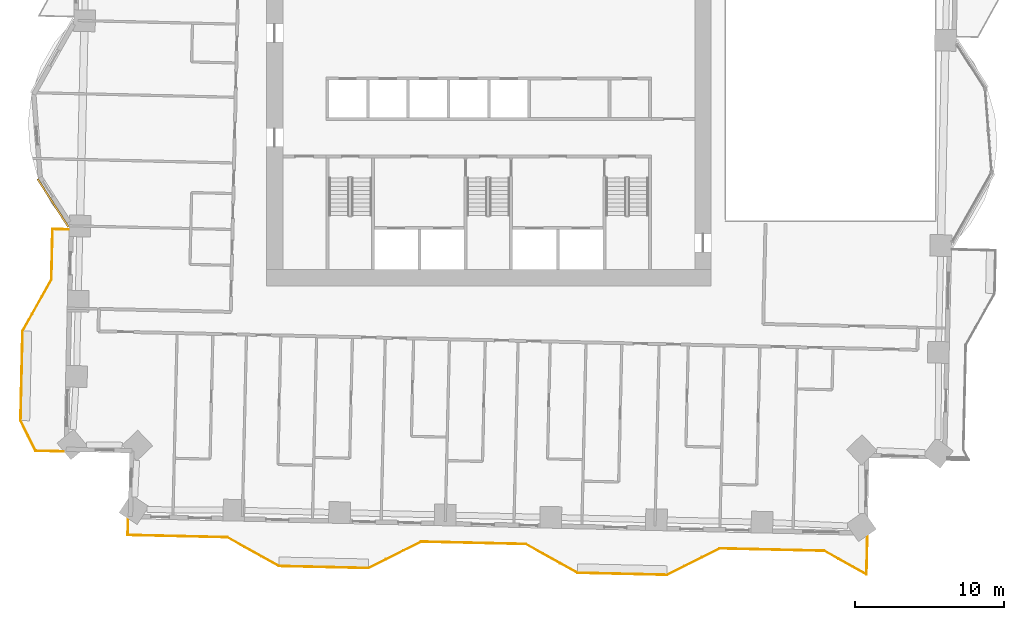
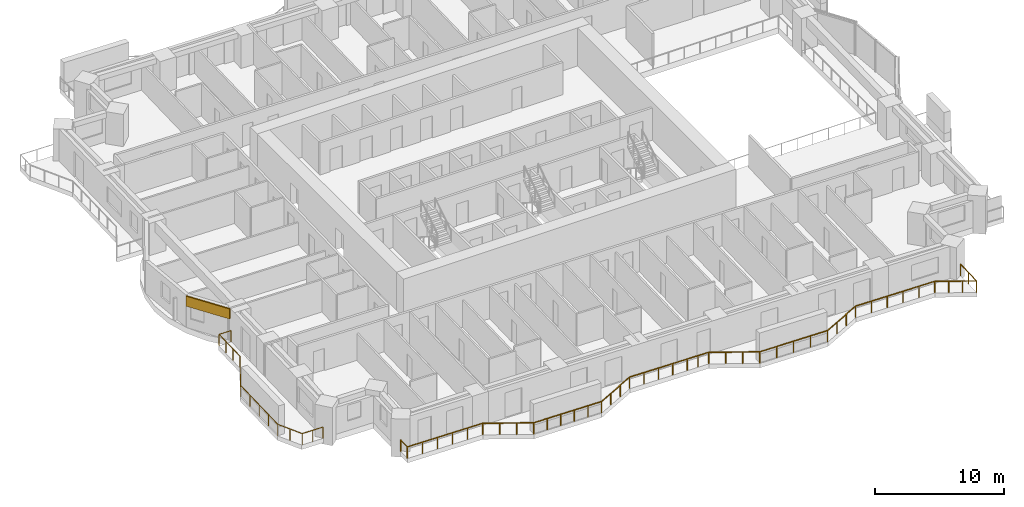
# One storey, part 14 of 18: 2 railings, 1 covering.
"""IFC4 building model written with IfcOpenShell, lengths in metres."""

from ifc_helpers import new_model, si_unit, direction, frame, frame_2d, origin, origin_2d, place, context, subcontext, project, spatial, rectangle, extrude, material, layer, layer_set, type_object, element, save


model = new_model("IFC4")

# Units and contexts
model_context = context("Model", 3, precision=1e-05, world=origin(), true_north=direction((0.0, 1.0)))
body_context = subcontext(model_context, "Body", "Model", "MODEL_VIEW")
ifc_project = project(units=[si_unit("LENGTHUNIT", "METRE"), si_unit("AREAUNIT", "SQUARE_METRE"), si_unit("VOLUMEUNIT", "CUBIC_METRE"), si_unit("PLANEANGLEUNIT", "RADIAN"), si_unit("MASSUNIT", "GRAM", prefix="KILO")], contexts=[model_context])

# Site, building, storey
site_placement = place(None, origin())
site = spatial("IfcSite", under=ifc_project, at=site_placement, CompositionType="ELEMENT")
building_placement = place(site_placement, origin())
building = spatial("IfcBuilding", under=site, at=building_placement, Name="Mangrove Gate Tower", CompositionType="ELEMENT")
storey_placement = place(building_placement, frame((0.0, 0.0, 67.5)))
storey = spatial("IfcBuildingStorey", under=building, at=storey_placement, Name="L16", CompositionType="ELEMENT", Elevation=67.5)

# Railings
ifc_material_1 = material(Name="Stainless steel grade 316 with laminated glass infill", Category="steel")
railing_type = type_object("IfcRailingType", Name="Balcony guard 1100", PredefinedType="GUARDRAIL", material=ifc_material_1)
railing_1_placement = place(storey_placement, frame((-28.162109375, -8.10205078125, 0.0)))
element("IfcRailing", 1, at=railing_1_placement, inside=storey, type_object=railing_type, Name="GUARD L16 W2", PredefinedType="GUARDRAIL", context=body_context, shape_type="SweptSolid", body=[
    extrude(rectangle(XDim=0.048095703125, YDim=0.048095703125, at=origin_2d()), frame((0.0, 0.0, 1.076171875), z_axis=(-0.999740049023, 0.022799876723, 0.0), x_axis=(-0.022799876723, -0.999740049023, 0.0)), (0.0, 0.0, 1.0), 1.06005859375),
    extrude(rectangle(XDim=0.048095703125, YDim=0.048095703125, at=origin_2d()), frame((-1.059814453125, 0.024169921875, 1.076171875), z_axis=(-0.022570225841, -0.999745260007, 0.0), x_axis=(0.999745260007, -0.022570225841, 0.0)), (0.0, 0.0, 1.0), 3.375),
    extrude(rectangle(XDim=0.048095703125, YDim=0.048095703125, at=origin_2d()), frame((-1.135986328125, -3.349853515625, 1.076171875), z_axis=(-0.48726008209, -0.87325689943, 0.0), x_axis=(0.87325689943, -0.48726008209, 0.0)), (0.0, 0.0, 1.0), 3.958740234375),
    extrude(rectangle(XDim=0.048095703125, YDim=0.048095703125, at=origin_2d()), frame((-3.06494140625, -6.806884765625, 1.076171875), z_axis=(-0.022665943652, -0.999743094499, 0.0), x_axis=(0.999743094499, -0.022665943652, 0.0)), (0.0, 0.0, 1.0), 5.99951171875),
    extrude(rectangle(XDim=0.048095703125, YDim=0.048095703125, at=origin_2d()), frame((-3.200927734375, -12.804931640625, 1.076171875), z_axis=(0.446868240177, -0.894599785335, 0.0), x_axis=(0.894599785335, 0.446868240177, 0.0)), (0.0, 0.0, 1.0), 2.262451171875),
    extrude(rectangle(XDim=0.048095703125, YDim=0.048095703125, at=origin_2d()), frame((-2.18994140625, -14.828857421875, 1.076171875), z_axis=(0.999743058761, -0.022667519919, 0.0), x_axis=(0.022667519919, 0.999743058761, 0.0)), (0.0, 0.0, 1.0), 1.8525390625),
    extrude(rectangle(XDim=0.0419921875, YDim=0.0419921875, at=origin_2d()), origin(), (0.0, 0.0, 1.0), 1.052001953125),
    extrude(rectangle(XDim=0.0419921875, YDim=0.0419921875, at=origin_2d()), frame((-1.059814453125, 0.024169921875, 0.0)), (0.0, 0.0, 1.0), 1.052001953125),
    extrude(rectangle(XDim=0.0419921875, YDim=0.0419921875, at=origin_2d()), frame((-1.085205078125, -1.1005859375, 0.0)), (0.0, 0.0, 1.0), 1.052001953125),
    extrude(rectangle(XDim=0.0419921875, YDim=0.0419921875, at=origin_2d()), frame((-1.110595703125, -2.22509765625, 0.0)), (0.0, 0.0, 1.0), 1.052001953125),
    extrude(rectangle(XDim=0.0419921875, YDim=0.0419921875, at=origin_2d()), frame((-1.135986328125, -3.349853515625, 0.0)), (0.0, 0.0, 1.0), 1.052001953125),
    extrude(rectangle(XDim=0.0419921875, YDim=0.0419921875, at=origin_2d()), frame((-1.779052734375, -4.502197265625, 0.0)), (0.0, 0.0, 1.0), 1.052001953125),
    extrude(rectangle(XDim=0.0419921875, YDim=0.0419921875, at=origin_2d()), frame((-2.421875, -5.654541015625, 0.0)), (0.0, 0.0, 1.0), 1.052001953125),
    extrude(rectangle(XDim=0.0419921875, YDim=0.0419921875, at=origin_2d()), frame((-3.06494140625, -6.806884765625, 0.0)), (0.0, 0.0, 1.0), 1.052001953125),
    extrude(rectangle(XDim=0.0419921875, YDim=0.0419921875, at=origin_2d()), frame((-3.098876953125, -8.306396484375, 0.0)), (0.0, 0.0, 1.0), 1.052001953125),
    extrude(rectangle(XDim=0.0419921875, YDim=0.0419921875, at=origin_2d()), frame((-3.1328125, -9.805908203125, 0.0)), (0.0, 0.0, 1.0), 1.052001953125),
    extrude(rectangle(XDim=0.0419921875, YDim=0.0419921875, at=origin_2d()), frame((-3.1669921875, -11.305419921875, 0.0)), (0.0, 0.0, 1.0), 1.052001953125),
    extrude(rectangle(XDim=0.0419921875, YDim=0.0419921875, at=origin_2d()), frame((-3.200927734375, -12.804931640625, 0.0)), (0.0, 0.0, 1.0), 1.052001953125),
    extrude(rectangle(XDim=0.0419921875, YDim=0.0419921875, at=origin_2d()), frame((-2.6953125, -13.81689453125, 0.0)), (0.0, 0.0, 1.0), 1.052001953125),
    extrude(rectangle(XDim=0.0419921875, YDim=0.0419921875, at=origin_2d()), frame((-2.18994140625, -14.828857421875, 0.0)), (0.0, 0.0, 1.0), 1.052001953125),
    extrude(rectangle(XDim=0.0419921875, YDim=0.0419921875, at=origin_2d()), frame((-1.263916015625, -14.849853515625, 0.0)), (0.0, 0.0, 1.0), 1.052001953125),
    extrude(rectangle(XDim=0.0419921875, YDim=0.0419921875, at=origin_2d()), frame((-0.337890625, -14.870849609375, 0.0)), (0.0, 0.0, 1.0), 1.052001953125),
])
railing_2_placement = place(storey_placement, frame((-24.160888671875, -27.511962890625, 0.0)))
element("IfcRailing", 2, at=railing_2_placement, inside=storey, type_object=railing_type, Name="GUARD L16 S1", PredefinedType="GUARDRAIL", context=body_context, shape_type="SweptSolid", body=[
    extrude(rectangle(XDim=0.048095703125, YDim=0.048095703125, at=origin_2d()), frame((0.0, 0.0, 1.076171875), z_axis=(-0.022794628443, -0.999740168701, 0.0), x_axis=(0.999740168701, -0.022794628443, 0.0)), (0.0, 0.0, 1.0), 1.060302734375),
    extrude(rectangle(XDim=0.048095703125, YDim=0.048095703125, at=origin_2d()), frame((-0.024169921875, -1.06005859375, 1.076171875), z_axis=(0.999743948351, -0.022628250809, 0.0), x_axis=(0.022628250809, 0.999743948351, 0.0)), (0.0, 0.0, 1.0), 6.667724609375),
    extrude(rectangle(XDim=0.048095703125, YDim=0.048095703125, at=origin_2d()), frame((6.641845703125, -1.2109375, 1.076171875), z_axis=(0.873230657876, -0.487307108654, 0.0), x_axis=(0.487307108654, 0.873230657876, 0.0)), (0.0, 0.0, 1.0), 3.958984375),
    extrude(rectangle(XDim=0.048095703125, YDim=0.048095703125, at=origin_2d()), frame((10.098876953125, -3.14013671875, 1.076171875), z_axis=(0.999743178102, -0.022662255828, 0.0), x_axis=(0.022662255828, 0.999743178102, 0.0)), (0.0, 0.0, 1.0), 6.00048828125),
    extrude(rectangle(XDim=0.048095703125, YDim=0.048095703125, at=origin_2d()), frame((16.097900390625, -3.276123046875, 1.076171875), z_axis=(0.894476522376, 0.447114919141, 0.0), x_axis=(-0.447114919141, 0.894476522376, 0.0)), (0.0, 0.0, 1.0), 3.958740234375),
    extrude(rectangle(XDim=0.048095703125, YDim=0.048095703125, at=origin_2d()), frame((19.638916015625, -1.506103515625, 1.076171875), z_axis=(0.999741365697, -0.022742069283, 0.0), x_axis=(0.022742069283, 0.999741365697, 0.0)), (0.0, 0.0, 1.0), 5.09912109375),
    extrude(rectangle(XDim=0.048095703125, YDim=0.048095703125, at=origin_2d()), frame((24.73681640625, -1.6220703125, 1.076171875), z_axis=(0.999744415357, -0.022607608519, 0.0), x_axis=(0.022607608519, 0.999744415357, 0.0)), (0.0, 0.0, 1.0), 1.900634765625),
    extrude(rectangle(XDim=0.048095703125, YDim=0.048095703125, at=origin_2d()), frame((26.636962890625, -1.6650390625, 1.076171875), z_axis=(0.87325689943, -0.48726008209, 0.0), x_axis=(0.48726008209, 0.87325689943, 0.0)), (0.0, 0.0, 1.0), 3.958740234375),
    extrude(rectangle(XDim=0.048095703125, YDim=0.048095703125, at=origin_2d()), frame((30.093994140625, -3.593994140625, 1.076171875), z_axis=(0.999743073592, -0.022666865795, 0.0), x_axis=(0.022666865795, 0.999743073592, 0.0)), (0.0, 0.0, 1.0), 5.999267578125),
    extrude(rectangle(XDim=0.048095703125, YDim=0.048095703125, at=origin_2d()), frame((36.091796875, -3.72998046875, 1.076171875), z_axis=(0.894476522376, 0.447114919141, 0.0), x_axis=(-0.447114919141, 0.894476522376, 0.0)), (0.0, 0.0, 1.0), 3.958740234375),
    extrude(rectangle(XDim=0.048095703125, YDim=0.048095703125, at=origin_2d()), frame((39.6328125, -1.9599609375, 1.076171875), z_axis=(0.999741475346, -0.022737248567, 0.0), x_axis=(0.022737248567, 0.999741475346, 0.0)), (0.0, 0.0, 1.0), 7.000732421875),
    extrude(rectangle(XDim=0.048095703125, YDim=0.048095703125, at=origin_2d()), frame((46.6318359375, -2.119140625, 1.076171875), z_axis=(0.87337865098, -0.487041817519, 0.0), x_axis=(0.487041817519, 0.87337865098, 0.0)), (0.0, 0.0, 1.0), 3.24365234375),
    extrude(rectangle(XDim=0.048095703125, YDim=0.048095703125, at=origin_2d()), frame((49.46484375, -3.698974609375, 1.076171875), z_axis=(0.022559915357, 0.999745492723, 0.0), x_axis=(-0.999745492723, 0.022559915357, 0.0)), (0.0, 0.0, 1.0), 2.57568359375),
    extrude(rectangle(XDim=0.0419921875, YDim=0.0419921875, at=origin_2d()), origin(), (0.0, 0.0, 1.0), 1.052001953125),
    extrude(rectangle(XDim=0.0419921875, YDim=0.0419921875, at=origin_2d()), frame((-0.024169921875, -1.06005859375, 0.0)), (0.0, 0.0, 1.0), 1.052001953125),
    extrude(rectangle(XDim=0.0419921875, YDim=0.0419921875, at=origin_2d()), frame((1.30908203125, -1.09033203125, 0.0)), (0.0, 0.0, 1.0), 1.052001953125),
    extrude(rectangle(XDim=0.0419921875, YDim=0.0419921875, at=origin_2d()), frame((2.642333984375, -1.120361328125, 0.0)), (0.0, 0.0, 1.0), 1.052001953125),
    extrude(rectangle(XDim=0.0419921875, YDim=0.0419921875, at=origin_2d()), frame((3.975341796875, -1.150634765625, 0.0)), (0.0, 0.0, 1.0), 1.052001953125),
    extrude(rectangle(XDim=0.0419921875, YDim=0.0419921875, at=origin_2d()), frame((5.30859375, -1.1806640625, 0.0)), (0.0, 0.0, 1.0), 1.052001953125),
    extrude(rectangle(XDim=0.0419921875, YDim=0.0419921875, at=origin_2d()), frame((6.641845703125, -1.2109375, 0.0)), (0.0, 0.0, 1.0), 1.052001953125),
    extrude(rectangle(XDim=0.0419921875, YDim=0.0419921875, at=origin_2d()), frame((7.794189453125, -1.85400390625, 0.0)), (0.0, 0.0, 1.0), 1.052001953125),
    extrude(rectangle(XDim=0.0419921875, YDim=0.0419921875, at=origin_2d()), frame((8.946533203125, -2.4970703125, 0.0)), (0.0, 0.0, 1.0), 1.052001953125),
    extrude(rectangle(XDim=0.0419921875, YDim=0.0419921875, at=origin_2d()), frame((10.098876953125, -3.14013671875, 0.0)), (0.0, 0.0, 1.0), 1.052001953125),
    extrude(rectangle(XDim=0.0419921875, YDim=0.0419921875, at=origin_2d()), frame((11.298583984375, -3.167236328125, 0.0)), (0.0, 0.0, 1.0), 1.052001953125),
    extrude(rectangle(XDim=0.0419921875, YDim=0.0419921875, at=origin_2d()), frame((12.49853515625, -3.194580078125, 0.0)), (0.0, 0.0, 1.0), 1.052001953125),
    extrude(rectangle(XDim=0.0419921875, YDim=0.0419921875, at=origin_2d()), frame((13.6982421875, -3.2216796875, 0.0)), (0.0, 0.0, 1.0), 1.052001953125),
    extrude(rectangle(XDim=0.0419921875, YDim=0.0419921875, at=origin_2d()), frame((14.898193359375, -3.2490234375, 0.0)), (0.0, 0.0, 1.0), 1.052001953125),
    extrude(rectangle(XDim=0.0419921875, YDim=0.0419921875, at=origin_2d()), frame((16.097900390625, -3.276123046875, 0.0)), (0.0, 0.0, 1.0), 1.052001953125),
    extrude(rectangle(XDim=0.0419921875, YDim=0.0419921875, at=origin_2d()), frame((17.2783203125, -2.68603515625, 0.0)), (0.0, 0.0, 1.0), 1.052001953125),
    extrude(rectangle(XDim=0.0419921875, YDim=0.0419921875, at=origin_2d()), frame((18.45849609375, -2.09619140625, 0.0)), (0.0, 0.0, 1.0), 1.052001953125),
    extrude(rectangle(XDim=0.0419921875, YDim=0.0419921875, at=origin_2d()), frame((19.638916015625, -1.506103515625, 0.0)), (0.0, 0.0, 1.0), 1.052001953125),
    extrude(rectangle(XDim=0.0419921875, YDim=0.0419921875, at=origin_2d()), frame((20.913330078125, -1.53515625, 0.0)), (0.0, 0.0, 1.0), 1.052001953125),
    extrude(rectangle(XDim=0.0419921875, YDim=0.0419921875, at=origin_2d()), frame((22.18798828125, -1.56396484375, 0.0)), (0.0, 0.0, 1.0), 1.052001953125),
    extrude(rectangle(XDim=0.0419921875, YDim=0.0419921875, at=origin_2d()), frame((23.46240234375, -1.593017578125, 0.0)), (0.0, 0.0, 1.0), 1.052001953125),
    extrude(rectangle(XDim=0.0419921875, YDim=0.0419921875, at=origin_2d()), frame((24.73681640625, -1.6220703125, 0.0)), (0.0, 0.0, 1.0), 1.052001953125),
    extrude(rectangle(XDim=0.0419921875, YDim=0.0419921875, at=origin_2d()), frame((25.68701171875, -1.6435546875, 0.0)), (0.0, 0.0, 1.0), 1.052001953125),
    extrude(rectangle(XDim=0.0419921875, YDim=0.0419921875, at=origin_2d()), frame((26.636962890625, -1.6650390625, 0.0)), (0.0, 0.0, 1.0), 1.052001953125),
    extrude(rectangle(XDim=0.0419921875, YDim=0.0419921875, at=origin_2d()), frame((27.789306640625, -2.30810546875, 0.0)), (0.0, 0.0, 1.0), 1.052001953125),
    extrude(rectangle(XDim=0.0419921875, YDim=0.0419921875, at=origin_2d()), frame((28.941650390625, -2.950927734375, 0.0)), (0.0, 0.0, 1.0), 1.052001953125),
    extrude(rectangle(XDim=0.0419921875, YDim=0.0419921875, at=origin_2d()), frame((30.093994140625, -3.593994140625, 0.0)), (0.0, 0.0, 1.0), 1.052001953125),
    extrude(rectangle(XDim=0.0419921875, YDim=0.0419921875, at=origin_2d()), frame((31.593505859375, -3.6279296875, 0.0)), (0.0, 0.0, 1.0), 1.052001953125),
    extrude(rectangle(XDim=0.0419921875, YDim=0.0419921875, at=origin_2d()), frame((33.0927734375, -3.662109375, 0.0)), (0.0, 0.0, 1.0), 1.052001953125),
    extrude(rectangle(XDim=0.0419921875, YDim=0.0419921875, at=origin_2d()), frame((34.59228515625, -3.696044921875, 0.0)), (0.0, 0.0, 1.0), 1.052001953125),
    extrude(rectangle(XDim=0.0419921875, YDim=0.0419921875, at=origin_2d()), frame((36.091796875, -3.72998046875, 0.0)), (0.0, 0.0, 1.0), 1.052001953125),
    extrude(rectangle(XDim=0.0419921875, YDim=0.0419921875, at=origin_2d()), frame((37.272216796875, -3.139892578125, 0.0)), (0.0, 0.0, 1.0), 1.052001953125),
    extrude(rectangle(XDim=0.0419921875, YDim=0.0419921875, at=origin_2d()), frame((38.452392578125, -2.550048828125, 0.0)), (0.0, 0.0, 1.0), 1.052001953125),
    extrude(rectangle(XDim=0.0419921875, YDim=0.0419921875, at=origin_2d()), frame((39.6328125, -1.9599609375, 0.0)), (0.0, 0.0, 1.0), 1.052001953125),
    extrude(rectangle(XDim=0.0419921875, YDim=0.0419921875, at=origin_2d()), frame((41.03271484375, -1.99169921875, 0.0)), (0.0, 0.0, 1.0), 1.052001953125),
    extrude(rectangle(XDim=0.0419921875, YDim=0.0419921875, at=origin_2d()), frame((42.432373046875, -2.023681640625, 0.0)), (0.0, 0.0, 1.0), 1.052001953125),
    extrude(rectangle(XDim=0.0419921875, YDim=0.0419921875, at=origin_2d()), frame((43.832275390625, -2.055419921875, 0.0)), (0.0, 0.0, 1.0), 1.052001953125),
    extrude(rectangle(XDim=0.0419921875, YDim=0.0419921875, at=origin_2d()), frame((45.23193359375, -2.08740234375, 0.0)), (0.0, 0.0, 1.0), 1.052001953125),
    extrude(rectangle(XDim=0.0419921875, YDim=0.0419921875, at=origin_2d()), frame((46.6318359375, -2.119140625, 0.0)), (0.0, 0.0, 1.0), 1.052001953125),
    extrude(rectangle(XDim=0.0419921875, YDim=0.0419921875, at=origin_2d()), frame((47.576171875, -2.645751953125, 0.0)), (0.0, 0.0, 1.0), 1.052001953125),
    extrude(rectangle(XDim=0.0419921875, YDim=0.0419921875, at=origin_2d()), frame((48.5205078125, -3.17236328125, 0.0)), (0.0, 0.0, 1.0), 1.052001953125),
    extrude(rectangle(XDim=0.0419921875, YDim=0.0419921875, at=origin_2d()), frame((49.46484375, -3.698974609375, 0.0)), (0.0, 0.0, 1.0), 1.052001953125),
    extrude(rectangle(XDim=0.0419921875, YDim=0.0419921875, at=origin_2d()), frame((49.493896484375, -2.41162109375, 0.0)), (0.0, 0.0, 1.0), 1.052001953125),
    extrude(rectangle(XDim=0.0419921875, YDim=0.0419921875, at=origin_2d()), frame((49.52294921875, -1.1240234375, 0.0)), (0.0, 0.0, 1.0), 1.052001953125),
])

# Covering
ifc_material_2 = material(Name="Limestone", Category="masonry")
ifc_layer_1 = layer(ifc_material_2, 0.0400390625, Name="Limestone cladding")
ifc_material_3 = material(Name="Stainless steel anchors and cavity", Category="steel")
ifc_layer_2 = layer(ifc_material_3, 0.080078125, Name="Fixing cavity")
ifc_layer_set = layer_set([ifc_layer_1, ifc_layer_2], Name="Joint fascia cladding 120")
covering_type = type_object("IfcCoveringType", Name="Joint fascia cladding 120", PredefinedType="CLADDING", material=ifc_layer_set)
covering_placement = place(storey_placement, frame((-30.22607421875, -4.718994140625, 2.10009765625), z_axis=(0.0, 0.0, 1.0), x_axis=(0.540486138148, -0.841352919095, 0.0)))
element("IfcCovering", 3, at=covering_placement, inside=storey, type_object=covering_type, Name="STONE FASCIA L16 W9.L2", PredefinedType="CLADDING", context=body_context, shape_type="SweptSolid", body=[
    extrude(rectangle(XDim=3.818603515625, YDim=0.1201171875, at=frame_2d((1.9091796875, 0.0))), origin(), (0.0, 0.0, 1.0), 0.949951171875),
])

save(model, "model.ifc")
